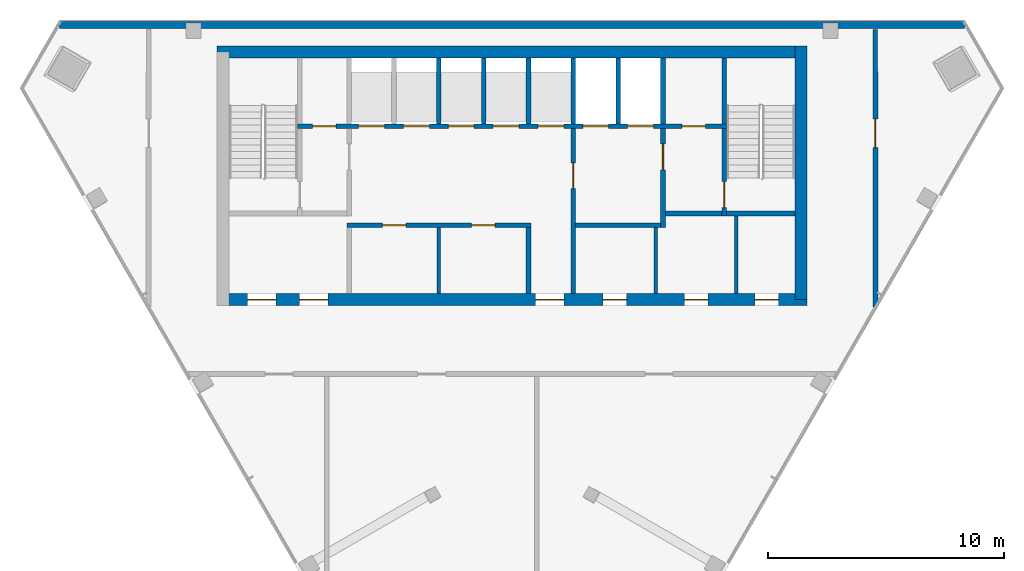
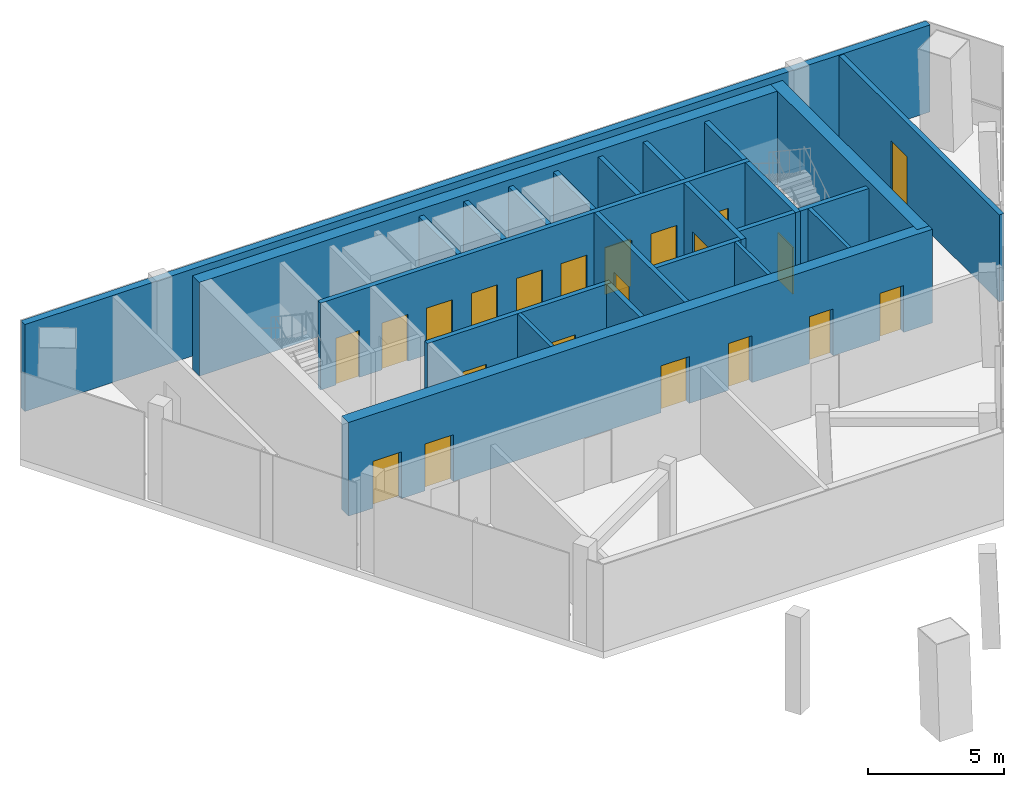
# One storey, part 5 of 8: 24 walls, 21 doors, 21 openings.
"""IFC4 building model written with IfcOpenShell, lengths in metres."""

from ifc_helpers import new_model, si_unit, direction, frame, frame_2d, origin, place, context, subcontext, project, spatial, rectangle, extrude, material, layer, layer_set, type_object, element, fill, save


model = new_model("IFC4")

# Units and contexts
model_context = context("Model", 3, precision=1e-05, world=origin(), true_north=direction((0.0, 1.0)))
body_context = subcontext(model_context, "Body", "Model", "MODEL_VIEW")
ifc_project = project(units=[si_unit("LENGTHUNIT", "METRE"), si_unit("AREAUNIT", "SQUARE_METRE"), si_unit("VOLUMEUNIT", "CUBIC_METRE"), si_unit("PLANEANGLEUNIT", "RADIAN"), si_unit("MASSUNIT", "GRAM", prefix="KILO")], contexts=[model_context])

# Site, building, storey
site_placement = place(None, origin())
site = spatial("IfcSite", under=ifc_project, at=site_placement, CompositionType="ELEMENT")
building_placement = place(site_placement, origin())
building = spatial("IfcBuilding", under=site, at=building_placement, Name="Altiplano Prism Tower", CompositionType="ELEMENT")
storey_placement = place(building_placement, frame((0.0, 0.0, 338.800048828125)))
storey = spatial("IfcBuildingStorey", under=building, at=storey_placement, Name="L88", CompositionType="ELEMENT", Elevation=338.800048828125)

# Wall, openings, doors
ifc_material_1 = material(Name="Concrete C60/75", Category="concrete")
ifc_layer_1 = layer(ifc_material_1, 0.5)
ifc_layer_set_1 = layer_set([ifc_layer_1], Name="Concrete C60/75")
wall_type_1 = type_object("IfcWallType", Name="Core wall 500", PredefinedType="SHEAR", material=ifc_layer_set_1)
wall_1_placement = place(storey_placement, frame((72.75, 93.14990234375, 0.0), z_axis=(0.0, 0.0, 1.0), x_axis=(1.0, 0.0, 0.0)))
wall_1 = element("IfcWall", 1, at=wall_1_placement, inside=storey, type_object=wall_type_1, Name="Core wall S L88", PredefinedType="SHEAR", context=body_context, shape_type="SweptSolid", body=[
    extrude(rectangle(XDim=24.75, YDim=0.5, at=frame_2d((12.375, 0.0))), origin(), (0.0, 0.0, 1.0), 4.199951171875),
])
opening_1_placement = place(wall_1_placement, frame((1.050048828125, 0.0, 0.0)))
opening_1 = element("IfcOpeningElement", 2, at=opening_1_placement, cuts=wall_1, Name="Opening D3836", PredefinedType="OPENING", context=body_context, shape_type="SweptSolid", body=[
    extrude(rectangle(XDim=1.199951171875, YDim=2.10009765625, at=frame_2d((0.60009765625, 1.050048828125))), frame((0.0, 0.260498046875, 0.0), z_axis=(0.0, -1.0, 0.0), x_axis=(1.0, 0.0, 0.0)), (0.0, 0.0, 1.0), 0.52099609375),
])
opening_2_placement = place(wall_1_placement, frame((3.25, 0.0, 0.0)))
opening_2 = element("IfcOpeningElement", 3, at=opening_2_placement, cuts=wall_1, Name="Opening D3837", PredefinedType="OPENING", context=body_context, shape_type="SweptSolid", body=[
    extrude(rectangle(XDim=1.199951171875, YDim=2.10009765625, at=frame_2d((0.60009765625, 1.050048828125))), frame((0.0, 0.260498046875, 0.0), z_axis=(0.0, -1.0, 0.0), x_axis=(1.0, 0.0, 0.0)), (0.0, 0.0, 1.0), 0.52099609375),
])
opening_3_placement = place(wall_1_placement, frame((13.25, 0.0, 0.0)))
opening_3 = element("IfcOpeningElement", 4, at=opening_3_placement, cuts=wall_1, Name="Opening D3838", PredefinedType="OPENING", context=body_context, shape_type="SweptSolid", body=[
    extrude(rectangle(XDim=1.199951171875, YDim=2.10009765625, at=frame_2d((0.60009765625, 1.050048828125))), frame((0.0, 0.260498046875, 0.0), z_axis=(0.0, -1.0, 0.0), x_axis=(1.0, 0.0, 0.0)), (0.0, 0.0, 1.0), 0.52099609375),
])
opening_4_placement = place(wall_1_placement, frame((16.112548828125, 0.0, 0.0)))
opening_4 = element("IfcOpeningElement", 5, at=opening_4_placement, cuts=wall_1, Name="Opening D3841", PredefinedType="OPENING", context=body_context, shape_type="SweptSolid", body=[
    extrude(rectangle(XDim=1.0, YDim=2.10009765625, at=frame_2d((0.5, 1.050048828125))), frame((0.0, 0.260498046875, 0.0), z_axis=(0.0, -1.0, 0.0), x_axis=(1.0, 0.0, 0.0)), (0.0, 0.0, 1.0), 0.52099609375),
])
opening_5_placement = place(wall_1_placement, frame((19.550048828125, 0.0, 0.0)))
opening_5 = element("IfcOpeningElement", 6, at=opening_5_placement, cuts=wall_1, Name="Opening D3842", PredefinedType="OPENING", context=body_context, shape_type="SweptSolid", body=[
    extrude(rectangle(XDim=1.0, YDim=2.10009765625, at=frame_2d((0.5, 1.050048828125))), frame((0.0, 0.260498046875, 0.0), z_axis=(0.0, -1.0, 0.0), x_axis=(1.0, 0.0, 0.0)), (0.0, 0.0, 1.0), 0.52099609375),
])
opening_6_placement = place(wall_1_placement, frame((22.53759765625, 0.0, 0.0)))
opening_6 = element("IfcOpeningElement", 7, at=opening_6_placement, cuts=wall_1, Name="Opening D3843", PredefinedType="OPENING", context=body_context, shape_type="SweptSolid", body=[
    extrude(rectangle(XDim=1.0, YDim=2.10009765625, at=frame_2d((0.5, 1.050048828125))), frame((0.0, 0.260498046875, 0.0), z_axis=(0.0, -1.0, 0.0), x_axis=(1.0, 0.0, 0.0)), (0.0, 0.0, 1.0), 0.52099609375),
])
ifc_material_2 = material(Name="Fire-rated steel door", Category="steel")
door_type_1 = type_object("IfcDoorType", Name="Core room door 1000 x 2100", OperationType="NOTDEFINED", PredefinedType="NOTDEFINED", material=ifc_material_2)
door_1_placement = place(opening_4_placement, origin())
door_1 = element("IfcDoor", 8, at=door_1_placement, inside=storey, type_object=door_type_1, Name="Core room door D3841", OperationType="SINGLE_SWING_RIGHT", OverallHeight=2.10009765625, OverallWidth=1.0, PredefinedType="NOTDEFINED", context=body_context, shape_type="SweptSolid", body=[
    extrude(rectangle(XDim=1.0, YDim=2.10009765625, at=frame_2d((0.5, 1.050048828125))), frame((0.0, 0.02490234375, 0.0), z_axis=(0.0, -1.0, 0.0), x_axis=(1.0, 0.0, 0.0)), (0.0, 0.0, 1.0), 0.050048828125),
])
fill(opening_4, door_1)
door_2_placement = place(opening_5_placement, origin())
door_2 = element("IfcDoor", 9, at=door_2_placement, inside=storey, type_object=door_type_1, Name="Core room door D3842", OperationType="SINGLE_SWING_LEFT", OverallHeight=2.10009765625, OverallWidth=1.0, PredefinedType="NOTDEFINED", context=body_context, shape_type="SweptSolid", body=[
    extrude(rectangle(XDim=1.0, YDim=2.10009765625, at=frame_2d((0.5, 1.050048828125))), frame((0.0, 0.02490234375, 0.0), z_axis=(0.0, -1.0, 0.0), x_axis=(1.0, 0.0, 0.0)), (0.0, 0.0, 1.0), 0.050048828125),
])
fill(opening_5, door_2)
door_3_placement = place(opening_6_placement, origin())
door_3 = element("IfcDoor", 10, at=door_3_placement, inside=storey, type_object=door_type_1, Name="Core room door D3843", OperationType="SINGLE_SWING_RIGHT", OverallHeight=2.10009765625, OverallWidth=1.0, PredefinedType="NOTDEFINED", context=body_context, shape_type="SweptSolid", body=[
    extrude(rectangle(XDim=1.0, YDim=2.10009765625, at=frame_2d((0.5, 1.050048828125))), frame((0.0, 0.02490234375, 0.0), z_axis=(0.0, -1.0, 0.0), x_axis=(1.0, 0.0, 0.0)), (0.0, 0.0, 1.0), 0.050048828125),
])
fill(opening_6, door_3)
door_type_2 = type_object("IfcDoorType", Name="Lobby fire door 1200 x 2100", OperationType="NOTDEFINED", PredefinedType="NOTDEFINED", material=ifc_material_2)
door_4_placement = place(opening_1_placement, origin())
door_4 = element("IfcDoor", 11, at=door_4_placement, inside=storey, type_object=door_type_2, Name="Lobby fire door D3836", OperationType="SINGLE_SWING_RIGHT", OverallHeight=2.10009765625, OverallWidth=1.199951171875, PredefinedType="NOTDEFINED", context=body_context, shape_type="SweptSolid", body=[
    extrude(rectangle(XDim=1.199951171875, YDim=2.10009765625, at=frame_2d((0.60009765625, 1.050048828125))), frame((0.0, 0.02490234375, 0.0), z_axis=(0.0, -1.0, 0.0), x_axis=(1.0, 0.0, 0.0)), (0.0, 0.0, 1.0), 0.050048828125),
])
fill(opening_1, door_4)
door_5_placement = place(opening_2_placement, origin())
door_5 = element("IfcDoor", 12, at=door_5_placement, inside=storey, type_object=door_type_2, Name="Lobby fire door D3837", OperationType="SINGLE_SWING_LEFT", OverallHeight=2.10009765625, OverallWidth=1.199951171875, PredefinedType="NOTDEFINED", context=body_context, shape_type="SweptSolid", body=[
    extrude(rectangle(XDim=1.199951171875, YDim=2.10009765625, at=frame_2d((0.60009765625, 1.050048828125))), frame((0.0, 0.02490234375, 0.0), z_axis=(0.0, -1.0, 0.0), x_axis=(1.0, 0.0, 0.0)), (0.0, 0.0, 1.0), 0.050048828125),
])
fill(opening_2, door_5)
door_6_placement = place(opening_3_placement, origin())
door_6 = element("IfcDoor", 13, at=door_6_placement, inside=storey, type_object=door_type_2, Name="Lobby fire door D3838", OperationType="SINGLE_SWING_RIGHT", OverallHeight=2.10009765625, OverallWidth=1.199951171875, PredefinedType="NOTDEFINED", context=body_context, shape_type="SweptSolid", body=[
    extrude(rectangle(XDim=1.199951171875, YDim=2.10009765625, at=frame_2d((0.60009765625, 1.050048828125))), frame((0.0, 0.02490234375, 0.0), z_axis=(0.0, -1.0, 0.0), x_axis=(1.0, 0.0, 0.0)), (0.0, 0.0, 1.0), 0.050048828125),
])
fill(opening_3, door_6)

# Walls
wall_2_placement = place(storey_placement, frame((97.25, 93.14990234375, 0.0), z_axis=(0.0, 0.0, 1.0), x_axis=(0.0, 1.0, 0.0)))
element("IfcWall", 14, at=wall_2_placement, inside=storey, type_object=wall_type_1, Name="Core wall E L88", PredefinedType="SHEAR", context=body_context, shape_type="SweptSolid", body=[
    extrude(rectangle(XDim=10.75, YDim=0.5, at=frame_2d((5.375, 0.0))), origin(), (0.0, 0.0, 1.0), 4.199951171875),
])
wall_3_placement = place(storey_placement, frame((97.25, 103.64990234375, 0.0), z_axis=(0.0, 0.0, 1.0), x_axis=(-1.0, 0.0, 0.0)))
element("IfcWall", 15, at=wall_3_placement, inside=storey, type_object=wall_type_1, Name="Core wall N L88", PredefinedType="SHEAR", context=body_context, shape_type="SweptSolid", body=[
    extrude(rectangle(XDim=24.75, YDim=0.5, at=frame_2d((12.375, 0.0))), origin(), (0.0, 0.0, 1.0), 4.199951171875),
])

# Wall, opening, door
ifc_material_3 = material(Name="Plasterboard on steel stud", Category="steel")
ifc_layer_2 = layer(ifc_material_3, 0.199951171875)
ifc_layer_set_2 = layer_set([ifc_layer_2], Name="Plasterboard on steel stud")
wall_type_2 = type_object("IfcWallType", Name="Partition 200 plant", PredefinedType="PARTITIONING", material=ifc_layer_set_2)
wall_4_placement = place(storey_placement, frame((100.40087890625, 92.83447265625, 0.0), z_axis=(0.0, 0.0, 1.0), x_axis=(-8.3001328e-05, 0.999999996555, 0.0)))
wall_4 = element("IfcWall", 16, at=wall_4_placement, inside=storey, type_object=wall_type_2, Name="Partition P04 L88 002", PredefinedType="PARTITIONING", context=body_context, shape_type="SweptSolid", body=[
    extrude(rectangle(XDim=11.765625, YDim=0.199951171875, at=frame_2d((5.8828125, 0.0))), origin(), (0.0, 0.0, 1.0), 3.89990234375),
])
opening_7_placement = place(wall_4_placement, frame((6.760986328125, 0.0, 0.0)))
opening_7 = element("IfcOpeningElement", 17, at=opening_7_placement, cuts=wall_4, Name="Opening D2512", PredefinedType="OPENING", context=body_context, shape_type="SweptSolid", body=[
    extrude(rectangle(XDim=1.199951171875, YDim=2.39990234375, at=frame_2d((0.60009765625, 1.199951171875))), frame((0.0, 0.1103515625, 0.0), z_axis=(0.0, -1.0, 0.0), x_axis=(1.0, 0.0, 0.0)), (0.0, 0.0, 1.0), 0.220947265625),
])
ifc_material_4 = material(Name="Painted steel door leaf", Category="steel")
door_type_3 = type_object("IfcDoorType", Name="Plant room door 1200 x 2400", OperationType="NOTDEFINED", PredefinedType="NOTDEFINED", material=ifc_material_4)
door_7_placement = place(opening_7_placement, origin())
door_7 = element("IfcDoor", 18, at=door_7_placement, inside=storey, type_object=door_type_3, Name="Door D2512", OperationType="SINGLE_SWING_RIGHT", OverallHeight=2.39990234375, OverallWidth=1.199951171875, PredefinedType="NOTDEFINED", context=body_context, shape_type="SweptSolid", body=[
    extrude(rectangle(XDim=1.199951171875, YDim=2.39990234375, at=frame_2d((0.60009765625, 1.199951171875))), frame((0.0, 0.02490234375, 0.0), z_axis=(0.0, -1.0, 0.0), x_axis=(1.0, 0.0, 0.0)), (0.0, 0.0, 1.0), 0.050048828125),
])
fill(opening_7, door_7)

# Walls
ifc_material_5 = material(Name="Fire-rated gypsum board partition")
ifc_layer_3 = layer(ifc_material_5, 0.14990234375)
ifc_layer_set_3 = layer_set([ifc_layer_3], Name="Fire-rated gypsum board partition")
wall_type_3 = type_object("IfcWallType", Name="Room partition 150", PredefinedType="PARTITIONING", material=ifc_layer_set_3)
for number, where, z_axis, x_axis, name in (
    (19, (81.89990234375, 93.39990234375, 0.0), (0.0, 0.0, 1.0), (0.0, 1.0, 0.0), "Room partition L88"),
    (20, (91.10009765625, 93.39990234375, 0.0), (0.0, 0.0, 1.0), (0.0, 1.0, 0.0), "Room partition L88"),
):
    element("IfcWall", number, at=place(storey_placement, frame(where, z_axis=z_axis, x_axis=x_axis)), inside=storey, type_object=wall_type_3, Name=name, PredefinedType="PARTITIONING", context=body_context, shape_type="SweptSolid", body=[
        extrude(rectangle(XDim=2.800048828125, YDim=0.14990234375, at=frame_2d((1.39990234375, 0.0))), origin(), (0.0, 0.0, 1.0), 3.89990234375),
    ])
wall_5_placement = place(storey_placement, frame((94.5, 93.39990234375, 0.0), z_axis=(0.0, 0.0, 1.0), x_axis=(0.0, 1.0, 0.0)))
element("IfcWall", 21, at=wall_5_placement, inside=storey, type_object=wall_type_3, Name="Room partition L88", PredefinedType="PARTITIONING", context=body_context, shape_type="SweptSolid", body=[
    extrude(rectangle(XDim=3.300048828125, YDim=0.14990234375, at=frame_2d((1.64990234375, 0.0))), origin(), (0.0, 0.0, 1.0), 3.89990234375),
])
ifc_layer_4 = layer(ifc_material_1, 0.199951171875)
ifc_layer_set_4 = layer_set([ifc_layer_4], Name="Concrete C60/75")
wall_type_4 = type_object("IfcWallType", Name="Shaft wall 200", PredefinedType="SOLIDWALL", material=ifc_layer_set_4)
for number, where, z_axis, x_axis, name in (
    (22, (81.89990234375, 100.60009765625, 0.0), (0.0, 0.0, 1.0), (0.0, 1.0, 0.0), "Shaft wall L88"),
    (23, (83.800048828125, 100.60009765625, 0.0), (0.0, 0.0, 1.0), (0.0, 1.0, 0.0), "Shaft wall L88"),
    (24, (85.699951171875, 100.60009765625, 0.0), (0.0, 0.0, 1.0), (0.0, 1.0, 0.0), "Shaft wall L88"),
    (25, (87.60009765625, 100.60009765625, 0.0), (0.0, 0.0, 1.0), (0.0, 1.0, 0.0), "Shaft wall L88"),
    (26, (89.5, 100.60009765625, 0.0), (0.0, 0.0, 1.0), (0.0, 1.0, 0.0), "Shaft wall L88"),
    (27, (91.39990234375, 100.60009765625, 0.0), (0.0, 0.0, 1.0), (0.0, 1.0, 0.0), "Shaft wall L88"),
):
    element("IfcWall", number, at=place(storey_placement, frame(where, z_axis=z_axis, x_axis=x_axis)), inside=storey, type_object=wall_type_4, Name=name, PredefinedType="SOLIDWALL", context=body_context, shape_type="SweptSolid", body=[
        extrude(rectangle(XDim=2.7998046875, YDim=0.199951171875, at=frame_2d((1.39990234375, 0.0))), origin(), (0.0, 0.0, 1.0), 3.89990234375),
    ])

# Wall, opening, door
ifc_layer_5 = layer(ifc_material_1, 0.199951171875)
ifc_layer_set_5 = layer_set([ifc_layer_5], Name="Concrete C60/75")
wall_type_5 = type_object("IfcWallType", Name="Stair wall 200", PredefinedType="SOLIDWALL", material=ifc_layer_set_5)
wall_6_placement = place(storey_placement, frame((94.0, 96.699951171875, 0.0), z_axis=(0.0, 0.0, 1.0), x_axis=(0.0, 1.0, 0.0)))
wall_6 = element("IfcWall", 28, at=wall_6_placement, inside=storey, type_object=wall_type_5, Name="Stair wall L88", PredefinedType="SOLIDWALL", context=body_context, shape_type="SweptSolid", body=[
    extrude(rectangle(XDim=3.699951171875, YDim=0.199951171875, at=frame_2d((1.85009765625, 0.0))), origin(), (0.0, 0.0, 1.0), 3.89990234375),
])
opening_8_placement = place(wall_6_placement, frame((0.35009765625, 0.0, 0.0)))
opening_8 = element("IfcOpeningElement", 29, at=opening_8_placement, cuts=wall_6, Name="Opening D3832", PredefinedType="OPENING", context=body_context, shape_type="SweptSolid", body=[
    extrude(rectangle(XDim=1.10009765625, YDim=2.10009765625, at=frame_2d((0.550048828125, 1.050048828125))), frame((0.0, 0.1103515625, 0.0), z_axis=(0.0, -1.0, 0.0), x_axis=(1.0, 0.0, 0.0)), (0.0, 0.0, 1.0), 0.220947265625),
])
door_type_4 = type_object("IfcDoorType", Name="Stair fire door 1100 x 2100", OperationType="NOTDEFINED", PredefinedType="NOTDEFINED", material=ifc_material_2)
door_8_placement = place(opening_8_placement, origin())
door_8 = element("IfcDoor", 30, at=door_8_placement, inside=storey, type_object=door_type_4, Name="Stair fire door D3832", OperationType="SINGLE_SWING_LEFT", OverallHeight=2.10009765625, OverallWidth=1.10009765625, PredefinedType="NOTDEFINED", context=body_context, shape_type="SweptSolid", body=[
    extrude(rectangle(XDim=1.10009765625, YDim=2.10009765625, at=frame_2d((0.550048828125, 1.050048828125))), frame((0.0, 0.02490234375, 0.0), z_axis=(0.0, -1.0, 0.0), x_axis=(1.0, 0.0, 0.0)), (0.0, 0.0, 1.0), 0.050048828125),
])
fill(opening_8, door_8)

# Wall
wall_7_placement = place(storey_placement, frame((94.10009765625, 96.800048828125, 0.0), z_axis=(0.0, 0.0, 1.0), x_axis=(1.0, 0.0, 0.0)))
element("IfcWall", 31, at=wall_7_placement, inside=storey, type_object=wall_type_5, Name="Stair wall L88", PredefinedType="SOLIDWALL", context=body_context, shape_type="SweptSolid", body=[
    extrude(rectangle(XDim=2.89990234375, YDim=0.199951171875, at=frame_2d((1.449951171875, 0.0))), origin(), (0.0, 0.0, 1.0), 3.89990234375),
])

# Wall, openings, doors
wall_8_placement = place(storey_placement, frame((75.89990234375, 100.5, 0.0), z_axis=(0.0, 0.0, 1.0), x_axis=(1.0, 0.0, 0.0)))
wall_8 = element("IfcWall", 32, at=wall_8_placement, inside=storey, type_object=wall_type_5, Name="Stair wall L88", PredefinedType="SOLIDWALL", context=body_context, shape_type="SweptSolid", body=[
    extrude(rectangle(XDim=18.2001953125, YDim=0.199951171875, at=frame_2d((9.10009765625, 0.0))), origin(), (0.0, 0.0, 1.0), 3.89990234375),
])
opening_9_placement = place(wall_8_placement, frame((2.60009765625, 0.0, 0.0)))
opening_9 = element("IfcOpeningElement", 33, at=opening_9_placement, cuts=wall_8, Name="Opening LD-HL1-L88", PredefinedType="OPENING", context=body_context, shape_type="SweptSolid", body=[
    extrude(rectangle(XDim=1.10009765625, YDim=2.10009765625, at=frame_2d((0.550048828125, 1.050048828125))), frame((0.0, 0.1103515625, 0.0), z_axis=(0.0, -1.0, 0.0), x_axis=(1.0, 0.0, 0.0)), (0.0, 0.0, 1.0), 0.220947265625),
])
opening_10_placement = place(wall_8_placement, frame((4.5, 0.0, 0.0)))
opening_10 = element("IfcOpeningElement", 34, at=opening_10_placement, cuts=wall_8, Name="Opening LD-HL2-L88", PredefinedType="OPENING", context=body_context, shape_type="SweptSolid", body=[
    extrude(rectangle(XDim=1.10009765625, YDim=2.10009765625, at=frame_2d((0.550048828125, 1.050048828125))), frame((0.0, 0.1103515625, 0.0), z_axis=(0.0, -1.0, 0.0), x_axis=(1.0, 0.0, 0.0)), (0.0, 0.0, 1.0), 0.220947265625),
])
opening_11_placement = place(wall_8_placement, frame((6.39990234375, 0.0, 0.0)))
opening_11 = element("IfcOpeningElement", 35, at=opening_11_placement, cuts=wall_8, Name="Opening LD-HL3-L88", PredefinedType="OPENING", context=body_context, shape_type="SweptSolid", body=[
    extrude(rectangle(XDim=1.10009765625, YDim=2.10009765625, at=frame_2d((0.550048828125, 1.050048828125))), frame((0.0, 0.1103515625, 0.0), z_axis=(0.0, -1.0, 0.0), x_axis=(1.0, 0.0, 0.0)), (0.0, 0.0, 1.0), 0.220947265625),
])
opening_12_placement = place(wall_8_placement, frame((8.300048828125, 0.0, 0.0)))
opening_12 = element("IfcOpeningElement", 36, at=opening_12_placement, cuts=wall_8, Name="Opening LD-HL4-L88", PredefinedType="OPENING", context=body_context, shape_type="SweptSolid", body=[
    extrude(rectangle(XDim=1.10009765625, YDim=2.10009765625, at=frame_2d((0.550048828125, 1.050048828125))), frame((0.0, 0.1103515625, 0.0), z_axis=(0.0, -1.0, 0.0), x_axis=(1.0, 0.0, 0.0)), (0.0, 0.0, 1.0), 0.220947265625),
])
opening_13_placement = place(wall_8_placement, frame((10.199951171875, 0.0, 0.0)))
opening_13 = element("IfcOpeningElement", 37, at=opening_13_placement, cuts=wall_8, Name="Opening LD-HL5-L88", PredefinedType="OPENING", context=body_context, shape_type="SweptSolid", body=[
    extrude(rectangle(XDim=1.10009765625, YDim=2.10009765625, at=frame_2d((0.550048828125, 1.050048828125))), frame((0.0, 0.1103515625, 0.0), z_axis=(0.0, -1.0, 0.0), x_axis=(1.0, 0.0, 0.0)), (0.0, 0.0, 1.0), 0.220947265625),
])
opening_14_placement = place(wall_8_placement, frame((12.10009765625, 0.0, 0.0)))
opening_14 = element("IfcOpeningElement", 38, at=opening_14_placement, cuts=wall_8, Name="Opening LD-FF1-L88", PredefinedType="OPENING", context=body_context, shape_type="SweptSolid", body=[
    extrude(rectangle(XDim=1.10009765625, YDim=2.10009765625, at=frame_2d((0.550048828125, 1.050048828125))), frame((0.0, 0.1103515625, 0.0), z_axis=(0.0, -1.0, 0.0), x_axis=(1.0, 0.0, 0.0)), (0.0, 0.0, 1.0), 0.220947265625),
])
opening_15_placement = place(wall_8_placement, frame((14.0, 0.0, 0.0)))
opening_15 = element("IfcOpeningElement", 39, at=opening_15_placement, cuts=wall_8, Name="Opening LD-FF2-L88", PredefinedType="OPENING", context=body_context, shape_type="SweptSolid", body=[
    extrude(rectangle(XDim=1.10009765625, YDim=2.10009765625, at=frame_2d((0.550048828125, 1.050048828125))), frame((0.0, 0.1103515625, 0.0), z_axis=(0.0, -1.0, 0.0), x_axis=(1.0, 0.0, 0.0)), (0.0, 0.0, 1.0), 0.220947265625),
])
opening_16_placement = place(wall_8_placement, frame((0.64990234375, 0.0, 0.0)))
opening_16 = element("IfcOpeningElement", 40, at=opening_16_placement, cuts=wall_8, Name="Opening D3839", PredefinedType="OPENING", context=body_context, shape_type="SweptSolid", body=[
    extrude(rectangle(XDim=1.0, YDim=2.10009765625, at=frame_2d((0.5, 1.050048828125))), frame((0.0, 0.1103515625, 0.0), z_axis=(0.0, -1.0, 0.0), x_axis=(1.0, 0.0, 0.0)), (0.0, 0.0, 1.0), 0.220947265625),
])
opening_17_placement = place(wall_8_placement, frame((16.300048828125, 0.0, 0.0)))
opening_17 = element("IfcOpeningElement", 41, at=opening_17_placement, cuts=wall_8, Name="Opening D3840", PredefinedType="OPENING", context=body_context, shape_type="SweptSolid", body=[
    extrude(rectangle(XDim=1.0, YDim=2.10009765625, at=frame_2d((0.5, 1.050048828125))), frame((0.0, 0.1103515625, 0.0), z_axis=(0.0, -1.0, 0.0), x_axis=(1.0, 0.0, 0.0)), (0.0, 0.0, 1.0), 0.220947265625),
])
door_9_placement = place(opening_16_placement, origin())
door_9 = element("IfcDoor", 42, at=door_9_placement, inside=storey, type_object=door_type_1, Name="Core room door D3839", OperationType="SINGLE_SWING_LEFT", OverallHeight=2.10009765625, OverallWidth=1.0, PredefinedType="NOTDEFINED", context=body_context, shape_type="SweptSolid", body=[
    extrude(rectangle(XDim=1.0, YDim=2.10009765625, at=frame_2d((0.5, 1.050048828125))), frame((0.0, 0.02490234375, 0.0), z_axis=(0.0, -1.0, 0.0), x_axis=(1.0, 0.0, 0.0)), (0.0, 0.0, 1.0), 0.050048828125),
])
fill(opening_16, door_9)
door_10_placement = place(opening_17_placement, origin())
door_10 = element("IfcDoor", 43, at=door_10_placement, inside=storey, type_object=door_type_1, Name="Core room door D3840", OperationType="SINGLE_SWING_RIGHT", OverallHeight=2.10009765625, OverallWidth=1.0, PredefinedType="NOTDEFINED", context=body_context, shape_type="SweptSolid", body=[
    extrude(rectangle(XDim=1.0, YDim=2.10009765625, at=frame_2d((0.5, 1.050048828125))), frame((0.0, 0.02490234375, 0.0), z_axis=(0.0, -1.0, 0.0), x_axis=(1.0, 0.0, 0.0)), (0.0, 0.0, 1.0), 0.050048828125),
])
fill(opening_17, door_10)
ifc_material_6 = material(Name="Stainless steel landing door", Category="steel")
door_type_5 = type_object("IfcDoorType", Name="Landing door 1100 x 2100", OperationType="NOTDEFINED", PredefinedType="NOTDEFINED", material=ifc_material_6)
door_11_placement = place(opening_9_placement, origin())
door_11 = element("IfcDoor", 44, at=door_11_placement, inside=storey, type_object=door_type_5, Name="Landing doors HL1", OperationType="SLIDING_TO_RIGHT", OverallHeight=2.10009765625, OverallWidth=1.10009765625, PredefinedType="NOTDEFINED", context=body_context, shape_type="SweptSolid", body=[
    extrude(rectangle(XDim=1.10009765625, YDim=2.10009765625, at=frame_2d((0.550048828125, 1.050048828125))), frame((0.0, 0.02490234375, 0.0), z_axis=(0.0, -1.0, 0.0), x_axis=(1.0, 0.0, 0.0)), (0.0, 0.0, 1.0), 0.050048828125),
])
fill(opening_9, door_11)
door_12_placement = place(opening_10_placement, origin())
door_12 = element("IfcDoor", 45, at=door_12_placement, inside=storey, type_object=door_type_5, Name="Landing doors HL2", OperationType="SLIDING_TO_LEFT", OverallHeight=2.10009765625, OverallWidth=1.10009765625, PredefinedType="NOTDEFINED", context=body_context, shape_type="SweptSolid", body=[
    extrude(rectangle(XDim=1.10009765625, YDim=2.10009765625, at=frame_2d((0.550048828125, 1.050048828125))), frame((0.0, 0.02490234375, 0.0), z_axis=(0.0, -1.0, 0.0), x_axis=(1.0, 0.0, 0.0)), (0.0, 0.0, 1.0), 0.050048828125),
])
fill(opening_10, door_12)
door_13_placement = place(opening_11_placement, origin())
door_13 = element("IfcDoor", 46, at=door_13_placement, inside=storey, type_object=door_type_5, Name="Landing doors HL3", OperationType="SLIDING_TO_RIGHT", OverallHeight=2.10009765625, OverallWidth=1.10009765625, PredefinedType="NOTDEFINED", context=body_context, shape_type="SweptSolid", body=[
    extrude(rectangle(XDim=1.10009765625, YDim=2.10009765625, at=frame_2d((0.550048828125, 1.050048828125))), frame((0.0, 0.02490234375, 0.0), z_axis=(0.0, -1.0, 0.0), x_axis=(1.0, 0.0, 0.0)), (0.0, 0.0, 1.0), 0.050048828125),
])
fill(opening_11, door_13)
door_14_placement = place(opening_12_placement, origin())
door_14 = element("IfcDoor", 47, at=door_14_placement, inside=storey, type_object=door_type_5, Name="Landing doors HL4", OperationType="SLIDING_TO_LEFT", OverallHeight=2.10009765625, OverallWidth=1.10009765625, PredefinedType="NOTDEFINED", context=body_context, shape_type="SweptSolid", body=[
    extrude(rectangle(XDim=1.10009765625, YDim=2.10009765625, at=frame_2d((0.550048828125, 1.050048828125))), frame((0.0, 0.02490234375, 0.0), z_axis=(0.0, -1.0, 0.0), x_axis=(1.0, 0.0, 0.0)), (0.0, 0.0, 1.0), 0.050048828125),
])
fill(opening_12, door_14)
door_15_placement = place(opening_13_placement, origin())
door_15 = element("IfcDoor", 48, at=door_15_placement, inside=storey, type_object=door_type_5, Name="Landing doors HL5", OperationType="SLIDING_TO_RIGHT", OverallHeight=2.10009765625, OverallWidth=1.10009765625, PredefinedType="NOTDEFINED", context=body_context, shape_type="SweptSolid", body=[
    extrude(rectangle(XDim=1.10009765625, YDim=2.10009765625, at=frame_2d((0.550048828125, 1.050048828125))), frame((0.0, 0.02490234375, 0.0), z_axis=(0.0, -1.0, 0.0), x_axis=(1.0, 0.0, 0.0)), (0.0, 0.0, 1.0), 0.050048828125),
])
fill(opening_13, door_15)
door_16_placement = place(opening_14_placement, origin())
door_16 = element("IfcDoor", 49, at=door_16_placement, inside=storey, type_object=door_type_5, Name="Landing doors FF1", OperationType="SLIDING_TO_RIGHT", OverallHeight=2.10009765625, OverallWidth=1.10009765625, PredefinedType="NOTDEFINED", context=body_context, shape_type="SweptSolid", body=[
    extrude(rectangle(XDim=1.10009765625, YDim=2.10009765625, at=frame_2d((0.550048828125, 1.050048828125))), frame((0.0, 0.02490234375, 0.0), z_axis=(0.0, -1.0, 0.0), x_axis=(1.0, 0.0, 0.0)), (0.0, 0.0, 1.0), 0.050048828125),
])
fill(opening_14, door_16)
door_17_placement = place(opening_15_placement, origin())
door_17 = element("IfcDoor", 50, at=door_17_placement, inside=storey, type_object=door_type_5, Name="Landing doors FF2", OperationType="SLIDING_TO_LEFT", OverallHeight=2.10009765625, OverallWidth=1.10009765625, PredefinedType="NOTDEFINED", context=body_context, shape_type="SweptSolid", body=[
    extrude(rectangle(XDim=1.10009765625, YDim=2.10009765625, at=frame_2d((0.550048828125, 1.050048828125))), frame((0.0, 0.02490234375, 0.0), z_axis=(0.0, -1.0, 0.0), x_axis=(1.0, 0.0, 0.0)), (0.0, 0.0, 1.0), 0.050048828125),
])
fill(opening_15, door_17)

# Walls
wall_9_placement = place(storey_placement, frame((94.0, 100.60009765625, 0.0), z_axis=(0.0, 0.0, 1.0), x_axis=(0.0, 1.0, 0.0)))
element("IfcWall", 51, at=wall_9_placement, inside=storey, type_object=wall_type_5, Name="Stair wall L88", PredefinedType="SOLIDWALL", context=body_context, shape_type="SweptSolid", body=[
    extrude(rectangle(XDim=2.7998046875, YDim=0.199951171875, at=frame_2d((1.39990234375, 0.0))), origin(), (0.0, 0.0, 1.0), 3.89990234375),
])
ifc_material_7 = material(Name="Concrete C40", Category="concrete")
ifc_layer_6 = layer(ifc_material_7, 0.300048828125)
ifc_layer_set_6 = layer_set([ifc_layer_6], Name="Concrete C40")
wall_type_6 = type_object("IfcWallType", Name="Stone-clad external wall 300", PredefinedType="SOLIDWALL", material=ifc_layer_set_6)
wall_10_placement = place(storey_placement, frame((65.81640625, 104.7900390625, 0.0), z_axis=(0.0, 0.0, 1.0), x_axis=(1.0, 0.0, 0.0)))
element("IfcWall", 52, at=wall_10_placement, inside=storey, type_object=wall_type_6, Name="External wall north face L88", PredefinedType="SOLIDWALL", context=body_context, shape_type="SweptSolid", body=[
    extrude(rectangle(XDim=38.3671875, YDim=0.300048828125, at=frame_2d((19.18359375, 0.0))), origin(), (0.0, 0.0, 1.0), 3.89990234375),
])
ifc_layer_7 = layer(ifc_material_1, 0.199951171875)
ifc_layer_set_7 = layer_set([ifc_layer_7], Name="Concrete C60/75")
wall_type_7 = type_object("IfcWallType", Name="Vestibule wall 200", PredefinedType="PARTITIONING", material=ifc_layer_set_7)
wall_11_placement = place(storey_placement, frame((85.699951171875, 93.39990234375, 0.0), z_axis=(0.0, 0.0, 1.0), x_axis=(0.0, 1.0, 0.0)))
element("IfcWall", 53, at=wall_11_placement, inside=storey, type_object=wall_type_7, Name="Vestibule wall L88", PredefinedType="PARTITIONING", context=body_context, shape_type="SweptSolid", body=[
    extrude(rectangle(XDim=2.800048828125, YDim=0.199951171875, at=frame_2d((1.39990234375, 0.0))), origin(), (0.0, 0.0, 1.0), 3.89990234375),
])

# Wall, opening, door
wall_12_placement = place(storey_placement, frame((87.60009765625, 93.39990234375, 0.0), z_axis=(0.0, 0.0, 1.0), x_axis=(0.0, 1.0, 0.0)))
wall_12 = element("IfcWall", 54, at=wall_12_placement, inside=storey, type_object=wall_type_7, Name="Vestibule wall L88", PredefinedType="PARTITIONING", context=body_context, shape_type="SweptSolid", body=[
    extrude(rectangle(XDim=7.0, YDim=0.199951171875, at=frame_2d((3.5, 0.0))), origin(), (0.0, 0.0, 1.0), 3.89990234375),
])
opening_18_placement = place(wall_12_placement, frame((4.449951171875, 0.0, 0.0)))
opening_18 = element("IfcOpeningElement", 55, at=opening_18_placement, cuts=wall_12, Name="Opening D3834", PredefinedType="OPENING", context=body_context, shape_type="SweptSolid", body=[
    extrude(rectangle(XDim=1.10009765625, YDim=2.10009765625, at=frame_2d((0.550048828125, 1.050048828125))), frame((0.0, 0.1103515625, 0.0), z_axis=(0.0, -1.0, 0.0), x_axis=(1.0, 0.0, 0.0)), (0.0, 0.0, 1.0), 0.220947265625),
])
door_type_6 = type_object("IfcDoorType", Name="Vestibule fire door 1100 x 2100", OperationType="NOTDEFINED", PredefinedType="NOTDEFINED", material=ifc_material_2)
door_18_placement = place(opening_18_placement, origin())
door_18 = element("IfcDoor", 56, at=door_18_placement, inside=storey, type_object=door_type_6, Name="Vestibule fire door D3834", OperationType="SINGLE_SWING_RIGHT", OverallHeight=2.10009765625, OverallWidth=1.10009765625, PredefinedType="NOTDEFINED", context=body_context, shape_type="SweptSolid", body=[
    extrude(rectangle(XDim=1.10009765625, YDim=2.10009765625, at=frame_2d((0.550048828125, 1.050048828125))), frame((0.0, 0.02490234375, 0.0), z_axis=(0.0, -1.0, 0.0), x_axis=(1.0, 0.0, 0.0)), (0.0, 0.0, 1.0), 0.050048828125),
])
fill(opening_18, door_18)

# Wall, openings, doors
wall_13_placement = place(storey_placement, frame((78.0, 96.300048828125, 0.0), z_axis=(0.0, 0.0, 1.0), x_axis=(1.0, 0.0, 0.0)))
wall_13 = element("IfcWall", 57, at=wall_13_placement, inside=storey, type_object=wall_type_7, Name="Vestibule wall L88", PredefinedType="PARTITIONING", context=body_context, shape_type="SweptSolid", body=[
    extrude(rectangle(XDim=7.800048828125, YDim=0.199951171875, at=frame_2d((3.89990234375, 0.0))), origin(), (0.0, 0.0, 1.0), 3.89990234375),
])
opening_19_placement = place(wall_13_placement, frame((1.512451171875, 0.0, 0.0)))
opening_19 = element("IfcOpeningElement", 58, at=opening_19_placement, cuts=wall_13, Name="Opening D3844", PredefinedType="OPENING", context=body_context, shape_type="SweptSolid", body=[
    extrude(rectangle(XDim=1.0, YDim=2.10009765625, at=frame_2d((0.5, 1.050048828125))), frame((0.0, 0.1103515625, 0.0), z_axis=(0.0, -1.0, 0.0), x_axis=(1.0, 0.0, 0.0)), (0.0, 0.0, 1.0), 0.220947265625),
])
opening_20_placement = place(wall_13_placement, frame((5.28759765625, 0.0, 0.0)))
opening_20 = element("IfcOpeningElement", 59, at=opening_20_placement, cuts=wall_13, Name="Opening D3845", PredefinedType="OPENING", context=body_context, shape_type="SweptSolid", body=[
    extrude(rectangle(XDim=1.0, YDim=2.10009765625, at=frame_2d((0.5, 1.050048828125))), frame((0.0, 0.1103515625, 0.0), z_axis=(0.0, -1.0, 0.0), x_axis=(1.0, 0.0, 0.0)), (0.0, 0.0, 1.0), 0.220947265625),
])
door_19_placement = place(opening_19_placement, origin())
door_19 = element("IfcDoor", 60, at=door_19_placement, inside=storey, type_object=door_type_1, Name="Core room door D3844", OperationType="SINGLE_SWING_RIGHT", OverallHeight=2.10009765625, OverallWidth=1.0, PredefinedType="NOTDEFINED", context=body_context, shape_type="SweptSolid", body=[
    extrude(rectangle(XDim=1.0, YDim=2.10009765625, at=frame_2d((0.5, 1.050048828125))), frame((0.0, 0.02490234375, 0.0), z_axis=(0.0, -1.0, 0.0), x_axis=(1.0, 0.0, 0.0)), (0.0, 0.0, 1.0), 0.050048828125),
])
fill(opening_19, door_19)
door_20_placement = place(opening_20_placement, origin())
door_20 = element("IfcDoor", 61, at=door_20_placement, inside=storey, type_object=door_type_1, Name="Core room door D3845", OperationType="SINGLE_SWING_RIGHT", OverallHeight=2.10009765625, OverallWidth=1.0, PredefinedType="NOTDEFINED", context=body_context, shape_type="SweptSolid", body=[
    extrude(rectangle(XDim=1.0, YDim=2.10009765625, at=frame_2d((0.5, 1.050048828125))), frame((0.0, 0.02490234375, 0.0), z_axis=(0.0, -1.0, 0.0), x_axis=(1.0, 0.0, 0.0)), (0.0, 0.0, 1.0), 0.050048828125),
])
fill(opening_20, door_20)

# Wall
wall_14_placement = place(storey_placement, frame((87.699951171875, 96.300048828125, 0.0), z_axis=(0.0, 0.0, 1.0), x_axis=(1.0, 0.0, 0.0)))
element("IfcWall", 62, at=wall_14_placement, inside=storey, type_object=wall_type_7, Name="Vestibule wall L88", PredefinedType="PARTITIONING", context=body_context, shape_type="SweptSolid", body=[
    extrude(rectangle(XDim=3.60009765625, YDim=0.199951171875, at=frame_2d((1.800048828125, 0.0))), origin(), (0.0, 0.0, 1.0), 3.89990234375),
])

# Wall, opening, door
wall_15_placement = place(storey_placement, frame((91.39990234375, 96.199951171875, 0.0), z_axis=(0.0, 0.0, 1.0), x_axis=(0.0, 1.0, 0.0)))
wall_15 = element("IfcWall", 63, at=wall_15_placement, inside=storey, type_object=wall_type_7, Name="Vestibule wall L88", PredefinedType="PARTITIONING", context=body_context, shape_type="SweptSolid", body=[
    extrude(rectangle(XDim=4.199951171875, YDim=0.199951171875, at=frame_2d((2.10009765625, 0.0))), origin(), (0.0, 0.0, 1.0), 3.89990234375),
])
opening_21_placement = place(wall_15_placement, frame((2.449951171875, 0.0, 0.0)))
opening_21 = element("IfcOpeningElement", 64, at=opening_21_placement, cuts=wall_15, Name="Opening D3835", PredefinedType="OPENING", context=body_context, shape_type="SweptSolid", body=[
    extrude(rectangle(XDim=1.10009765625, YDim=2.10009765625, at=frame_2d((0.550048828125, 1.050048828125))), frame((0.0, 0.1103515625, 0.0), z_axis=(0.0, -1.0, 0.0), x_axis=(1.0, 0.0, 0.0)), (0.0, 0.0, 1.0), 0.220947265625),
])
door_21_placement = place(opening_21_placement, origin())
door_21 = element("IfcDoor", 65, at=door_21_placement, inside=storey, type_object=door_type_6, Name="Vestibule fire door D3835", OperationType="SINGLE_SWING_LEFT", OverallHeight=2.10009765625, OverallWidth=1.10009765625, PredefinedType="NOTDEFINED", context=body_context, shape_type="SweptSolid", body=[
    extrude(rectangle(XDim=1.10009765625, YDim=2.10009765625, at=frame_2d((0.550048828125, 1.050048828125))), frame((0.0, 0.02490234375, 0.0), z_axis=(0.0, -1.0, 0.0), x_axis=(1.0, 0.0, 0.0)), (0.0, 0.0, 1.0), 0.050048828125),
])
fill(opening_21, door_21)

# Wall
wall_16_placement = place(storey_placement, frame((91.5, 96.800048828125, 0.0), z_axis=(0.0, 0.0, 1.0), x_axis=(1.0, 0.0, 0.0)))
element("IfcWall", 66, at=wall_16_placement, inside=storey, type_object=wall_type_7, Name="Vestibule wall L88", PredefinedType="PARTITIONING", context=body_context, shape_type="SweptSolid", body=[
    extrude(rectangle(XDim=2.39990234375, YDim=0.199951171875, at=frame_2d((1.199951171875, 0.0))), origin(), (0.0, 0.0, 1.0), 3.89990234375),
])

save(model, "model.ifc")
